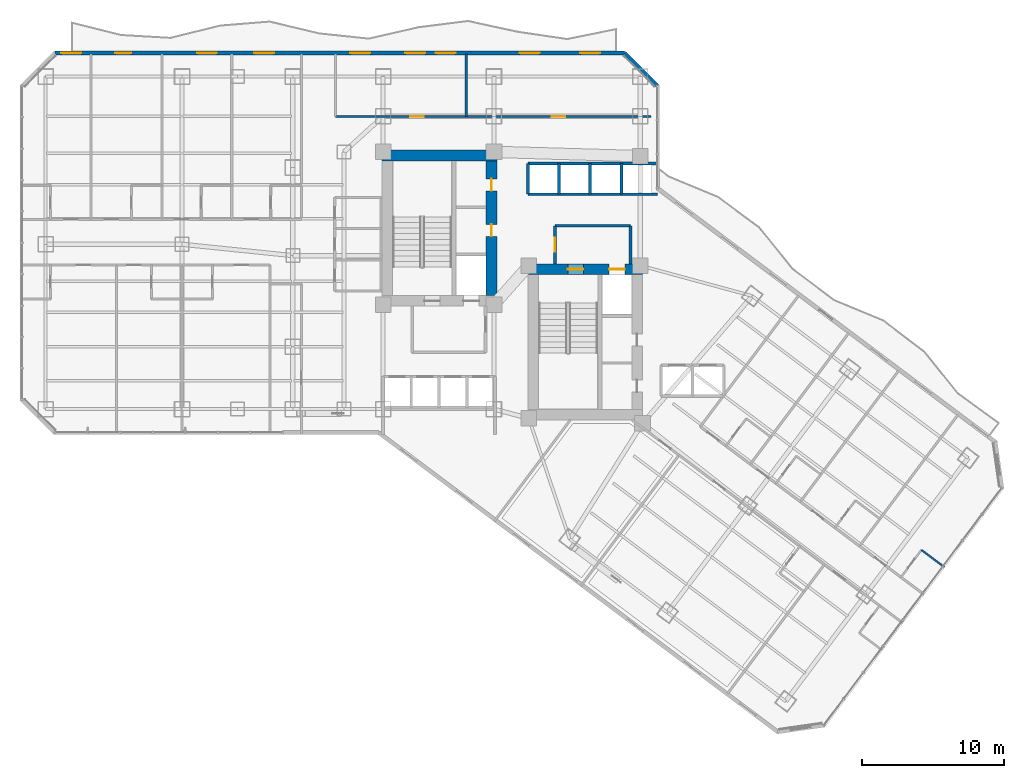
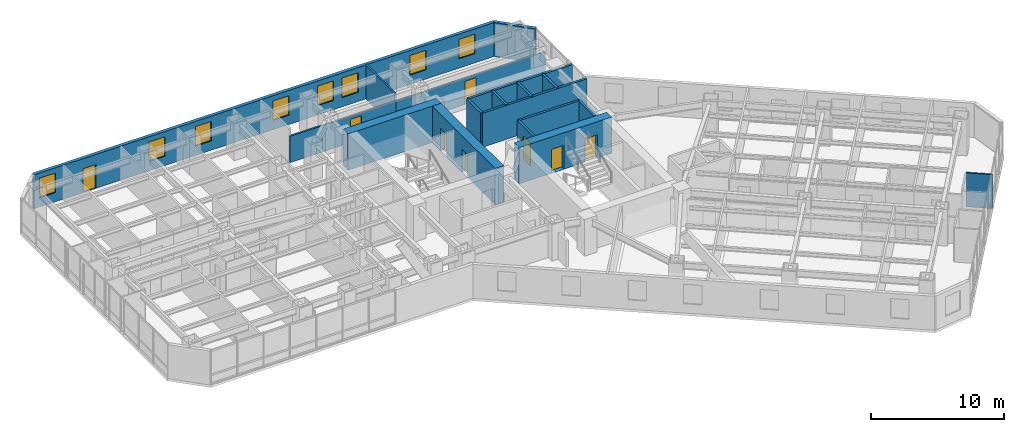
# One storey, part 26 of 32: 18 walls, 8 doors, 8 windows, 16 openings.
"""IFC4 building model written with IfcOpenShell, lengths in metres."""

from ifc_helpers import new_model, si_unit, direction, frame, frame_2d, origin, place, context, subcontext, project, spatial, rectangle, extrude, material, layer, layer_set, type_object, element, fill, save


model = new_model("IFC4")

# Units and contexts
model_context = context("Model", 3, precision=1e-05, world=origin(), true_north=direction((0.0, 1.0)))
body_context = subcontext(model_context, "Body", "Model", "MODEL_VIEW")
ifc_project = project(units=[si_unit("LENGTHUNIT", "METRE"), si_unit("AREAUNIT", "SQUARE_METRE"), si_unit("VOLUMEUNIT", "CUBIC_METRE"), si_unit("PLANEANGLEUNIT", "RADIAN"), si_unit("MASSUNIT", "GRAM", prefix="KILO")], contexts=[model_context])

# Site, building, storey
site_placement = place(None, origin())
site = spatial("IfcSite", under=ifc_project, at=site_placement, CompositionType="ELEMENT")
building_placement = place(site_placement, origin())
building = spatial("IfcBuilding", under=site, at=building_placement, Name="Hatsunagi Terrace Concourse", CompositionType="ELEMENT")
storey_placement = place(building_placement, frame((0.0, 0.0, 46.64990234375)))
storey = spatial("IfcBuildingStorey", under=building, at=storey_placement, Name="L11", CompositionType="ELEMENT", Elevation=46.64990234375)

# Wall
ifc_material_1 = material(Name="Concrete Fc60", Category="concrete")
ifc_layer_1 = layer(ifc_material_1, 0.75)
ifc_layer_set_1 = layer_set([ifc_layer_1], Name="CoreShearWall_Fc60_750")
wall_type_1 = type_object("IfcWallType", Name="CoreShearWall_Fc60_750", PredefinedType="SHEAR", material=ifc_layer_set_1)
wall_1_placement = place(storey_placement, frame((25.469970703125, 43.044921875, 0.0), z_axis=(0.0, 0.0, 1.0), x_axis=(1.0, 0.0, 0.0)))
element("IfcWall", 1, at=wall_1_placement, inside=storey, type_object=wall_type_1, Name="Core A Shear Wall N L11", PredefinedType="SHEAR", context=body_context, shape_type="SweptSolid", body=[
    extrude(rectangle(XDim=8.080078125, YDim=0.75, at=frame_2d((4.0400390625, 0.0))), origin(), (0.0, 0.0, 1.0), 3.35009765625),
])

# Wall, openings, doors
wall_2_placement = place(storey_placement, frame((33.175048828125, 33.18994140625, 0.0), z_axis=(0.0, 0.0, 1.0), x_axis=(0.0, 1.0, 0.0)))
wall_2 = element("IfcWall", 2, at=wall_2_placement, inside=storey, type_object=wall_type_1, Name="Core A Shear Wall E L11", PredefinedType="SHEAR", context=body_context, shape_type="SweptSolid", body=[
    extrude(rectangle(XDim=9.47998046875, YDim=0.75, at=frame_2d((4.739990234375, 0.0))), origin(), (0.0, 0.0, 1.0), 3.35009765625),
])
opening_1_placement = place(wall_2_placement, frame((4.159912109375, 0.0, 0.0)))
opening_1 = element("IfcOpeningElement", 3, at=opening_1_placement, cuts=wall_2, Name="Opening DR-085", PredefinedType="OPENING", context=body_context, shape_type="SweptSolid", body=[
    extrude(rectangle(XDim=0.85009765625, YDim=2.080078125, at=frame_2d((0.425048828125, 1.0400390625))), frame((0.0, 0.385009765625, 0.0), z_axis=(0.0, -1.0, 0.0), x_axis=(1.0, 0.0, 0.0)), (0.0, 0.0, 1.0), 0.77001953125),
])
opening_2_placement = place(wall_2_placement, frame((7.360107421875, 0.0, 0.0)))
opening_2 = element("IfcOpeningElement", 4, at=opening_2_placement, cuts=wall_2, Name="Opening DR-085", PredefinedType="OPENING", context=body_context, shape_type="SweptSolid", body=[
    extrude(rectangle(XDim=0.85009765625, YDim=2.080078125, at=frame_2d((0.425048828125, 1.0400390625))), frame((0.0, 0.385009765625, 0.0), z_axis=(0.0, -1.0, 0.0), x_axis=(1.0, 0.0, 0.0)), (0.0, 0.0, 1.0), 0.77001953125),
])
ifc_material_2 = material(Name="Painted steel", Category="steel")
door_type_1 = type_object("IfcDoorType", Name="RiserAccessDoor_EI60_850", OperationType="NOTDEFINED", PredefinedType="DOOR", material=ifc_material_2)
door_1_placement = place(opening_1_placement, origin())
door_1 = element("IfcDoor", 5, at=door_1_placement, inside=storey, type_object=door_type_1, Name="Core A Riser Door L11-1", OperationType="SINGLE_SWING_LEFT", OverallHeight=2.080078125, OverallWidth=0.85009765625, PredefinedType="DOOR", context=body_context, shape_type="SweptSolid", body=[
    extrude(rectangle(XDim=0.85009765625, YDim=2.080078125, at=frame_2d((0.425048828125, 1.0400390625))), frame((0.0, 0.02490234375, 0.0), z_axis=(0.0, -1.0, 0.0), x_axis=(1.0, 0.0, 0.0)), (0.0, 0.0, 1.0), 0.050048828125),
])
fill(opening_1, door_1)
door_2_placement = place(opening_2_placement, origin())
door_2 = element("IfcDoor", 6, at=door_2_placement, inside=storey, type_object=door_type_1, Name="Core A Riser Door L11-2", OperationType="SINGLE_SWING_LEFT", OverallHeight=2.080078125, OverallWidth=0.85009765625, PredefinedType="DOOR", context=body_context, shape_type="SweptSolid", body=[
    extrude(rectangle(XDim=0.85009765625, YDim=2.080078125, at=frame_2d((0.425048828125, 1.0400390625))), frame((0.0, 0.02490234375, 0.0), z_axis=(0.0, -1.0, 0.0), x_axis=(1.0, 0.0, 0.0)), (0.0, 0.0, 1.0), 0.050048828125),
])
fill(opening_2, door_2)

wall_3_placement = place(storey_placement, frame((35.739990234375, 35.044921875, 0.0), z_axis=(0.0, 0.0, 1.0), x_axis=(1.0, 0.0, 0.0)))
wall_3 = element("IfcWall", 7, at=wall_3_placement, inside=storey, type_object=wall_type_1, Name="Core B Shear Wall N L11", PredefinedType="SHEAR", context=body_context, shape_type="SweptSolid", body=[
    extrude(rectangle(XDim=8.06005859375, YDim=0.75, at=frame_2d((4.030029296875, 0.0))), origin(), (0.0, 0.0, 1.0), 3.35009765625),
])
opening_3_placement = place(wall_3_placement, frame((2.81005859375, 0.0, 0.0)))
opening_3 = element("IfcOpeningElement", 8, at=opening_3_placement, cuts=wall_3, Name="Opening DR-110S", PredefinedType="OPENING", context=body_context, shape_type="SweptSolid", body=[
    extrude(rectangle(XDim=1.10009765625, YDim=2.199951171875, at=frame_2d((0.550048828125, 1.10009765625))), frame((0.0, 0.385009765625, 0.0), z_axis=(0.0, -1.0, 0.0), x_axis=(1.0, 0.0, 0.0)), (0.0, 0.0, 1.0), 0.77001953125),
])
opening_4_placement = place(wall_3_placement, frame((5.7099609375, 0.0, 0.0)))
opening_4 = element("IfcOpeningElement", 9, at=opening_4_placement, cuts=wall_3, Name="Opening LD-02", PredefinedType="OPENING", context=body_context, shape_type="SweptSolid", body=[
    extrude(rectangle(XDim=1.1201171875, YDim=2.14990234375, at=frame_2d((0.56005859375, 1.074951171875))), frame((0.0, 0.385009765625, 0.0), z_axis=(0.0, -1.0, 0.0), x_axis=(1.0, 0.0, 0.0)), (0.0, 0.0, 1.0), 0.77001953125),
])
ifc_material_3 = material(Name="Stainless steel", Category="steel")
door_type_2 = type_object("IfcDoorType", Name="LiftLandingDoor_LD02", OperationType="SLIDING_TO_RIGHT", PredefinedType="USERDEFINED", material=ifc_material_3)
door_3_placement = place(opening_4_placement, origin())
door_3 = element("IfcDoor", 10, at=door_3_placement, inside=storey, type_object=door_type_2, Name="Lift landing door FF-02 L11", ObjectType="SLIDING_LANDING_DOOR", OperationType="SLIDING_TO_RIGHT", OverallHeight=2.14990234375, OverallWidth=1.1201171875, PredefinedType="USERDEFINED", context=body_context, shape_type="SweptSolid", body=[
    extrude(rectangle(XDim=1.1201171875, YDim=2.14990234375, at=frame_2d((0.56005859375, 1.074951171875))), frame((0.0, 0.02490234375, 0.0), z_axis=(0.0, -1.0, 0.0), x_axis=(1.0, 0.0, 0.0)), (0.0, 0.0, 1.0), 0.050048828125),
])
fill(opening_4, door_3)
ifc_material_4 = material(Name="Painted steel", Category="steel")
door_type_3 = type_object("IfcDoorType", Name="StairFireDoor_EI60_1100", OperationType="NOTDEFINED", PredefinedType="DOOR", material=ifc_material_4)
door_4_placement = place(opening_3_placement, origin())
door_4 = element("IfcDoor", 11, at=door_4_placement, inside=storey, type_object=door_type_3, Name="Stair ST-B Exit Door L11", OperationType="SINGLE_SWING_RIGHT", OverallHeight=2.199951171875, OverallWidth=1.10009765625, PredefinedType="DOOR", context=body_context, shape_type="SweptSolid", body=[
    extrude(rectangle(XDim=1.10009765625, YDim=2.199951171875, at=frame_2d((0.550048828125, 1.10009765625))), frame((0.0, 0.02490234375, 0.0), z_axis=(0.0, -1.0, 0.0), x_axis=(1.0, 0.0, 0.0)), (0.0, 0.0, 1.0), 0.050048828125),
])
fill(opening_3, door_4)

# Wall
ifc_material_5 = material(Name="Acoustic mineral board", Category="gypsum")
ifc_layer_2 = layer(ifc_material_5, 0.1201171875)
ifc_layer_set_2 = layer_set([ifc_layer_2], Name="PartitionWall_EI30_120")
wall_type_2 = type_object("IfcWallType", Name="PartitionWall_EI30_120", PredefinedType="PARTITIONING", material=ifc_layer_set_2)
wall_4_placement = place(storey_placement, frame((63.429931640625, 15.2900390625, 0.0), z_axis=(0.0, 0.0, 1.0), x_axis=(0.800014574191, -0.599980567254, 0.0)))
element("IfcWall", 12, at=wall_4_placement, inside=storey, type_object=wall_type_2, Name="Interior Partition IW-L11-100", PredefinedType="PARTITIONING", context=body_context, shape_type="SweptSolid", body=[
    extrude(rectangle(XDim=2.01025390625, YDim=0.1201171875, at=frame_2d((1.005126953125, 0.0))), origin(), (0.0, 0.0, 1.0), 3.130126953125),
])

# Wall, opening, door
ifc_material_6 = material(Name="Acoustic mineral board", Category="gypsum")
ifc_layer_3 = layer(ifc_material_6, 0.14990234375)
ifc_layer_set_3 = layer_set([ifc_layer_3], Name="PartitionWall_EI60_150")
wall_type_3 = type_object("IfcWallType", Name="PartitionWall_EI60_150", PredefinedType="PARTITIONING", material=ifc_layer_set_3)
wall_5_placement = place(storey_placement, frame((22.199951171875, 45.800048828125, 0.0), z_axis=(0.0, 0.0, 1.0), x_axis=(1.0, 0.0, 0.0)))
wall_5 = element("IfcWall", 13, at=wall_5_placement, inside=storey, type_object=wall_type_3, Name="Interior Partition IW-L11-037", PredefinedType="PARTITIONING", context=body_context, shape_type="SweptSolid", body=[
    extrude(rectangle(XDim=9.199951171875, YDim=0.14990234375, at=frame_2d((4.60009765625, 0.0))), origin(), (0.0, 0.0, 1.0), 2.425048828125),
])
opening_5_placement = place(wall_5_placement, frame((5.248046875, 0.0, 0.0)))
opening_5 = element("IfcOpeningElement", 14, at=opening_5_placement, cuts=wall_5, Name="Opening DR-095", PredefinedType="OPENING", context=body_context, shape_type="SweptSolid", body=[
    extrude(rectangle(XDim=0.949951171875, YDim=2.14990234375, at=frame_2d((0.47509765625, 1.074951171875))), frame((0.0, 0.0849609375, 0.0), z_axis=(0.0, -1.0, 0.0), x_axis=(1.0, 0.0, 0.0)), (0.0, 0.0, 1.0), 0.169921875),
])
ifc_material_7 = material(Name="Hardwood timber", Category="wood")
door_type_4 = type_object("IfcDoorType", Name="InteriorSuiteDoor_EI30_950", OperationType="NOTDEFINED", PredefinedType="DOOR", material=ifc_material_7)
door_5_placement = place(opening_5_placement, origin())
door_5 = element("IfcDoor", 15, at=door_5_placement, inside=storey, type_object=door_type_4, Name="Housekeeping Linen Room L11-HLIN Door", OperationType="SINGLE_SWING_LEFT", OverallHeight=2.14990234375, OverallWidth=0.949951171875, PredefinedType="DOOR", context=body_context, shape_type="SweptSolid", body=[
    extrude(rectangle(XDim=0.949951171875, YDim=2.14990234375, at=frame_2d((0.47509765625, 1.074951171875))), frame((0.0, 0.02490234375, 0.0), z_axis=(0.0, -1.0, 0.0), x_axis=(1.0, 0.0, 0.0)), (0.0, 0.0, 1.0), 0.050048828125),
])
fill(opening_5, door_5)

# Wall
wall_6_placement = place(storey_placement, frame((31.39990234375, 45.800048828125, 0.0), z_axis=(0.0, 0.0, 1.0), x_axis=(0.0, 1.0, 0.0)))
element("IfcWall", 16, at=wall_6_placement, inside=storey, type_object=wall_type_3, Name="Interior Partition IW-L11-039", PredefinedType="PARTITIONING", context=body_context, shape_type="SweptSolid", body=[
    extrude(rectangle(XDim=4.39990234375, YDim=0.14990234375, at=frame_2d((2.199951171875, 0.0))), origin(), (0.0, 0.0, 1.0), 3.130126953125),
])

# Wall, opening, door
wall_7_placement = place(storey_placement, frame((31.39990234375, 45.800048828125, 0.0), z_axis=(0.0, 0.0, 1.0), x_axis=(1.0, 0.0, 0.0)))
wall_7 = element("IfcWall", 17, at=wall_7_placement, inside=storey, type_object=wall_type_3, Name="Interior Partition IW-L11-040", PredefinedType="PARTITIONING", context=body_context, shape_type="SweptSolid", body=[
    extrude(rectangle(XDim=13.0, YDim=0.14990234375, at=frame_2d((6.5, 0.0))), origin(), (0.0, 0.0, 1.0), 2.425048828125),
])
opening_6_placement = place(wall_7_placement, frame((6.02490234375, 0.0, 0.0)))
opening_6 = element("IfcOpeningElement", 18, at=opening_6_placement, cuts=wall_7, Name="Opening DR-095", PredefinedType="OPENING", context=body_context, shape_type="SweptSolid", body=[
    extrude(rectangle(XDim=0.949951171875, YDim=2.14990234375, at=frame_2d((0.47509765625, 1.074951171875))), frame((0.0, 0.0849609375, 0.0), z_axis=(0.0, -1.0, 0.0), x_axis=(1.0, 0.0, 0.0)), (0.0, 0.0, 1.0), 0.169921875),
])
door_6_placement = place(opening_6_placement, origin())
door_6 = element("IfcDoor", 19, at=door_6_placement, inside=storey, type_object=door_type_4, Name="VIP Lounge L11-HLNG Door", OperationType="SINGLE_SWING_LEFT", OverallHeight=2.14990234375, OverallWidth=0.949951171875, PredefinedType="DOOR", context=body_context, shape_type="SweptSolid", body=[
    extrude(rectangle(XDim=0.949951171875, YDim=2.14990234375, at=frame_2d((0.47509765625, 1.074951171875))), frame((0.0, 0.02490234375, 0.0), z_axis=(0.0, -1.0, 0.0), x_axis=(1.0, 0.0, 0.0)), (0.0, 0.0, 1.0), 0.050048828125),
])
fill(opening_6, door_6)

# Walls
ifc_material_8 = material(Name="Acoustic mineral board", Category="gypsum")
ifc_layer_4 = layer(ifc_material_8, 0.199951171875)
ifc_layer_set_4 = layer_set([ifc_layer_4], Name="ShaftWall_EI120_200")
wall_type_4 = type_object("IfcWallType", Name="ShaftWall_EI120_200", PredefinedType="STANDARD", material=ifc_layer_set_4)
wall_8_placement = place(storey_placement, frame((37.64990234375, 38.10009765625, 0.0), z_axis=(0.0, 0.0, 1.0), x_axis=(1.0, 0.0, 0.0)))
element("IfcWall", 20, at=wall_8_placement, inside=storey, type_object=wall_type_4, Name="Interior Partition IW-L11-008", PredefinedType="STANDARD", context=body_context, shape_type="SweptSolid", body=[
    extrude(rectangle(XDim=5.300048828125, YDim=0.199951171875, at=frame_2d((2.64990234375, 0.0))), origin(), (0.0, 0.0, 1.0), 3.130126953125),
])
wall_9_placement = place(storey_placement, frame((42.949951171875, 35.419921875, 0.0), z_axis=(0.0, 0.0, 1.0), x_axis=(0.0, 1.0, 0.0)))
element("IfcWall", 21, at=wall_9_placement, inside=storey, type_object=wall_type_4, Name="Interior Partition IW-L11-009", PredefinedType="STANDARD", context=body_context, shape_type="SweptSolid", body=[
    extrude(rectangle(XDim=2.68017578125, YDim=0.199951171875, at=frame_2d((1.340087890625, 0.0))), origin(), (0.0, 0.0, 1.0), 3.130126953125),
])

# Wall, opening, door
wall_10_placement = place(storey_placement, frame((37.64990234375, 35.419921875, 0.0), z_axis=(0.0, 0.0, 1.0), x_axis=(0.0, 1.0, 0.0)))
wall_10 = element("IfcWall", 22, at=wall_10_placement, inside=storey, type_object=wall_type_4, Name="Interior Partition IW-L11-010", PredefinedType="STANDARD", context=body_context, shape_type="SweptSolid", body=[
    extrude(rectangle(XDim=2.68017578125, YDim=0.199951171875, at=frame_2d((1.340087890625, 0.0))), origin(), (0.0, 0.0, 1.0), 3.130126953125),
])
opening_7_placement = place(wall_10_placement, frame((0.840087890625, 0.0, 0.0)))
opening_7 = element("IfcOpeningElement", 23, at=opening_7_placement, cuts=wall_10, Name="Opening DR-100F", PredefinedType="OPENING", context=body_context, shape_type="SweptSolid", body=[
    extrude(rectangle(XDim=1.0, YDim=2.199951171875, at=frame_2d((0.5, 1.10009765625))), frame((0.0, 0.10986328125, 0.0), z_axis=(0.0, -1.0, 0.0), x_axis=(1.0, 0.0, 0.0)), (0.0, 0.0, 1.0), 0.219970703125),
])
ifc_material_9 = material(Name="Painted steel", Category="steel")
door_type_5 = type_object("IfcDoorType", Name="FireDoor_EI60_1000", OperationType="NOTDEFINED", PredefinedType="DOOR", material=ifc_material_9)
door_7_placement = place(opening_7_placement, origin())
door_7 = element("IfcDoor", 24, at=door_7_placement, inside=storey, type_object=door_type_5, Name="Firefighting Lobby B Door L11", OperationType="SINGLE_SWING_RIGHT", OverallHeight=2.199951171875, OverallWidth=1.0, PredefinedType="DOOR", context=body_context, shape_type="SweptSolid", body=[
    extrude(rectangle(XDim=1.0, YDim=2.199951171875, at=frame_2d((0.5, 1.10009765625))), frame((0.0, 0.02490234375, 0.0), z_axis=(0.0, -1.0, 0.0), x_axis=(1.0, 0.0, 0.0)), (0.0, 0.0, 1.0), 0.050048828125),
])
fill(opening_7, door_7)

# Walls
wall_11_placement = place(storey_placement, frame((35.75, 42.47998046875, 0.0), z_axis=(0.0, 0.0, 1.0), x_axis=(1.0, 0.0, 0.0)))
element("IfcWall", 25, at=wall_11_placement, inside=storey, type_object=wall_type_4, Name="Interior Partition IW-L11-018", PredefinedType="STANDARD", context=body_context, shape_type="SweptSolid", body=[
    extrude(rectangle(XDim=9.110107421875, YDim=0.199951171875, at=frame_2d((4.55517578125, 0.0))), origin(), (0.0, 0.0, 1.0), 3.130126953125),
])
for number, where, z_axis, x_axis, name in (
    (26, (35.75, 40.320068359375, 0.0), (0.0, 0.0, 1.0), (0.0, 1.0, 0.0), "Interior Partition IW-L11-019"),
    (27, (37.919921875, 40.320068359375, 0.0), (0.0, 0.0, 1.0), (0.0, 1.0, 0.0), "Interior Partition IW-L11-020"),
    (28, (40.1201171875, 40.320068359375, 0.0), (0.0, 0.0, 1.0), (0.0, 1.0, 0.0), "Interior Partition IW-L11-021"),
    (29, (42.320068359375, 40.320068359375, 0.0), (0.0, 0.0, 1.0), (0.0, 1.0, 0.0), "Interior Partition IW-L11-022"),
):
    element("IfcWall", number, at=place(storey_placement, frame(where, z_axis=z_axis, x_axis=x_axis)), inside=storey, type_object=wall_type_4, Name=name, PredefinedType="STANDARD", context=body_context, shape_type="SweptSolid", body=[
        extrude(rectangle(XDim=2.159912109375, YDim=0.199951171875, at=frame_2d((1.080078125, 0.0))), origin(), (0.0, 0.0, 1.0), 3.130126953125),
    ])
wall_12_placement = place(storey_placement, frame((35.75, 40.320068359375, 0.0), z_axis=(0.0, 0.0, 1.0), x_axis=(1.0, 0.0, 0.0)))
element("IfcWall", 30, at=wall_12_placement, inside=storey, type_object=wall_type_4, Name="Interior Partition IW-L11-023", PredefinedType="STANDARD", context=body_context, shape_type="SweptSolid", body=[
    extrude(rectangle(XDim=9.110107421875, YDim=0.199951171875, at=frame_2d((4.55517578125, 0.0))), origin(), (0.0, 0.0, 1.0), 3.130126953125),
])

# Wall, openings, door, windows
ifc_material_10 = material(Name="Autoclaved Lightweight Concrete and Terracotta Cladding", Category="masonry")
ifc_layer_5 = layer(ifc_material_10, 0.280029296875)
ifc_layer_set_5 = layer_set([ifc_layer_5], Name="TerracottaSpandrelWall_280")
wall_type_5 = type_object("IfcWallType", Name="TerracottaSpandrelWall_280", PredefinedType="STANDARD", material=ifc_layer_set_5)
wall_13_placement = place(storey_placement, frame((2.4580078125, 50.260009765625, 0.0), z_axis=(0.0, 0.0, 1.0), x_axis=(1.0, 0.0, 0.0)))
wall_13 = element("IfcWall", 31, at=wall_13_placement, inside=storey, type_object=wall_type_5, Name="Exterior Spandrel Wall EW-L11-11", PredefinedType="STANDARD", context=body_context, shape_type="SweptSolid", body=[
    extrude(rectangle(XDim=40.083984375, YDim=0.280029296875, at=frame_2d((20.0419921875, 0.0))), origin(), (0.0, 0.0, 1.0), 3.130126953125),
])
opening_8_placement = place(wall_13_placement, frame((4.260009765625, 0.0, 0.0)))
opening_8 = element("IfcOpeningElement", 32, at=opening_8_placement, cuts=wall_13, Name="Opening BD-01", PredefinedType="OPENING", context=body_context, shape_type="SweptSolid", body=[
    extrude(rectangle(XDim=1.10009765625, YDim=2.199951171875, at=frame_2d((0.550048828125, 1.10009765625))), frame((0.0, 0.14990234375, 0.0), z_axis=(0.0, -1.0, 0.0), x_axis=(1.0, 0.0, 0.0)), (0.0, 0.0, 1.0), 0.300048828125),
])
opening_9_placement = place(wall_13_placement, frame((0.4599609375, 0.0, 0.85009765625)))
opening_9 = element("IfcOpeningElement", 33, at=opening_9_placement, cuts=wall_13, Name="Opening WIN-02", PredefinedType="OPENING", context=body_context, shape_type="SweptSolid", body=[
    extrude(rectangle(XDim=1.39990234375, YDim=1.800048828125, at=frame_2d((0.699951171875, 0.89990234375))), frame((0.0, 0.14990234375, 0.0), z_axis=(0.0, -1.0, 0.0), x_axis=(1.0, 0.0, 0.0)), (0.0, 0.0, 1.0), 0.300048828125),
])
opening_10_placement = place(wall_13_placement, frame((10.0, 0.0, 0.85009765625)))
opening_10 = element("IfcOpeningElement", 34, at=opening_10_placement, cuts=wall_13, Name="Opening WIN-02", PredefinedType="OPENING", context=body_context, shape_type="SweptSolid", body=[
    extrude(rectangle(XDim=1.39990234375, YDim=1.800048828125, at=frame_2d((0.699951171875, 0.89990234375))), frame((0.0, 0.14990234375, 0.0), z_axis=(0.0, -1.0, 0.0), x_axis=(1.0, 0.0, 0.0)), (0.0, 0.0, 1.0), 0.300048828125),
])
opening_11_placement = place(wall_13_placement, frame((14.02001953125, 0.0, 0.85009765625)))
opening_11 = element("IfcOpeningElement", 35, at=opening_11_placement, cuts=wall_13, Name="Opening WIN-02", PredefinedType="OPENING", context=body_context, shape_type="SweptSolid", body=[
    extrude(rectangle(XDim=1.39990234375, YDim=1.800048828125, at=frame_2d((0.699951171875, 0.89990234375))), frame((0.0, 0.14990234375, 0.0), z_axis=(0.0, -1.0, 0.0), x_axis=(1.0, 0.0, 0.0)), (0.0, 0.0, 1.0), 0.300048828125),
])
opening_12_placement = place(wall_13_placement, frame((20.7890625, 0.0, 0.85009765625)))
opening_12 = element("IfcOpeningElement", 36, at=opening_12_placement, cuts=wall_13, Name="Opening WIN-02", PredefinedType="OPENING", context=body_context, shape_type="SweptSolid", body=[
    extrude(rectangle(XDim=1.39990234375, YDim=1.800048828125, at=frame_2d((0.699951171875, 0.89990234375))), frame((0.0, 0.14990234375, 0.0), z_axis=(0.0, -1.0, 0.0), x_axis=(1.0, 0.0, 0.0)), (0.0, 0.0, 1.0), 0.300048828125),
])
opening_13_placement = place(wall_13_placement, frame((24.6640625, 0.0, 0.85009765625)))
opening_13 = element("IfcOpeningElement", 37, at=opening_13_placement, cuts=wall_13, Name="Opening WIN-02", PredefinedType="OPENING", context=body_context, shape_type="SweptSolid", body=[
    extrude(rectangle(XDim=1.39990234375, YDim=1.800048828125, at=frame_2d((0.699951171875, 0.89990234375))), frame((0.0, 0.14990234375, 0.0), z_axis=(0.0, -1.0, 0.0), x_axis=(1.0, 0.0, 0.0)), (0.0, 0.0, 1.0), 0.300048828125),
])
opening_14_placement = place(wall_13_placement, frame((26.802978515625, 0.0, 0.85009765625)))
opening_14 = element("IfcOpeningElement", 38, at=opening_14_placement, cuts=wall_13, Name="Opening WIN-02", PredefinedType="OPENING", context=body_context, shape_type="SweptSolid", body=[
    extrude(rectangle(XDim=1.39990234375, YDim=1.800048828125, at=frame_2d((0.699951171875, 0.89990234375))), frame((0.0, 0.14990234375, 0.0), z_axis=(0.0, -1.0, 0.0), x_axis=(1.0, 0.0, 0.0)), (0.0, 0.0, 1.0), 0.300048828125),
])
opening_15_placement = place(wall_13_placement, frame((32.702880859375, 0.0, 0.85009765625)))
opening_15 = element("IfcOpeningElement", 39, at=opening_15_placement, cuts=wall_13, Name="Opening WIN-02", PredefinedType="OPENING", context=body_context, shape_type="SweptSolid", body=[
    extrude(rectangle(XDim=1.39990234375, YDim=1.800048828125, at=frame_2d((0.699951171875, 0.89990234375))), frame((0.0, 0.14990234375, 0.0), z_axis=(0.0, -1.0, 0.0), x_axis=(1.0, 0.0, 0.0)), (0.0, 0.0, 1.0), 0.300048828125),
])
opening_16_placement = place(wall_13_placement, frame((36.967041015625, 0.0, 0.85009765625)))
opening_16 = element("IfcOpeningElement", 40, at=opening_16_placement, cuts=wall_13, Name="Opening WIN-02", PredefinedType="OPENING", context=body_context, shape_type="SweptSolid", body=[
    extrude(rectangle(XDim=1.39990234375, YDim=1.800048828125, at=frame_2d((0.699951171875, 0.89990234375))), frame((0.0, 0.14990234375, 0.0), z_axis=(0.0, -1.0, 0.0), x_axis=(1.0, 0.0, 0.0)), (0.0, 0.0, 1.0), 0.300048828125),
])
ifc_material_11 = material(Name="Galvanised Steel and Laminated Safety Glass", Category="steel")
door_type_6 = type_object("IfcDoorType", Name="BalconyTerraceAccessDoor_1100x2200", OperationType="SINGLE_SWING_LEFT", PredefinedType="DOOR", material=ifc_material_11)
door_8_placement = place(opening_8_placement, origin())
door_8 = element("IfcDoor", 41, at=door_8_placement, inside=storey, type_object=door_type_6, Name="Engawa Balcony Door L11-BN", OperationType="SINGLE_SWING_RIGHT", OverallHeight=2.199951171875, OverallWidth=1.10009765625, PredefinedType="DOOR", context=body_context, shape_type="SweptSolid", body=[
    extrude(rectangle(XDim=1.10009765625, YDim=2.199951171875, at=frame_2d((0.550048828125, 1.10009765625))), frame((0.0, 0.02490234375, 0.0), z_axis=(0.0, -1.0, 0.0), x_axis=(1.0, 0.0, 0.0)), (0.0, 0.0, 1.0), 0.050048828125),
])
fill(opening_8, door_8)
ifc_material_12 = material(Name="Thermally Broken Aluminium and Low-E Triple Glazing", Category="aluminium")
window_type = type_object("IfcWindowType", Name="HotelOperableVentWindow_1400x1800", PartitioningType="DOUBLE_PANEL_VERTICAL", PredefinedType="WINDOW", material=ifc_material_12)
window_1_placement = place(opening_9_placement, origin())
window_1 = element("IfcWindow", 42, at=window_1_placement, inside=storey, type_object=window_type, Name="Balcony Daylighting Window L11-11-1", OverallHeight=1.800048828125, OverallWidth=1.39990234375, PartitioningType="SINGLE_PANEL", PredefinedType="WINDOW", context=body_context, shape_type="SweptSolid", body=[
    extrude(rectangle(XDim=1.39990234375, YDim=1.800048828125, at=frame_2d((0.699951171875, 0.89990234375))), frame((0.0, 0.030029296875, 0.0), z_axis=(0.0, -1.0, 0.0), x_axis=(1.0, 0.0, 0.0)), (0.0, 0.0, 1.0), 0.06005859375),
])
fill(opening_9, window_1)
window_2_placement = place(opening_10_placement, origin())
window_2 = element("IfcWindow", 43, at=window_2_placement, inside=storey, type_object=window_type, Name="Balcony Daylighting Window L11-11-3", OverallHeight=1.800048828125, OverallWidth=1.39990234375, PartitioningType="SINGLE_PANEL", PredefinedType="WINDOW", context=body_context, shape_type="SweptSolid", body=[
    extrude(rectangle(XDim=1.39990234375, YDim=1.800048828125, at=frame_2d((0.699951171875, 0.89990234375))), frame((0.0, 0.030029296875, 0.0), z_axis=(0.0, -1.0, 0.0), x_axis=(1.0, 0.0, 0.0)), (0.0, 0.0, 1.0), 0.06005859375),
])
fill(opening_10, window_2)
window_3_placement = place(opening_11_placement, origin())
window_3 = element("IfcWindow", 44, at=window_3_placement, inside=storey, type_object=window_type, Name="Balcony Daylighting Window L11-11-4", OverallHeight=1.800048828125, OverallWidth=1.39990234375, PartitioningType="SINGLE_PANEL", PredefinedType="WINDOW", context=body_context, shape_type="SweptSolid", body=[
    extrude(rectangle(XDim=1.39990234375, YDim=1.800048828125, at=frame_2d((0.699951171875, 0.89990234375))), frame((0.0, 0.030029296875, 0.0), z_axis=(0.0, -1.0, 0.0), x_axis=(1.0, 0.0, 0.0)), (0.0, 0.0, 1.0), 0.06005859375),
])
fill(opening_11, window_3)
window_4_placement = place(opening_12_placement, origin())
window_4 = element("IfcWindow", 45, at=window_4_placement, inside=storey, type_object=window_type, Name="Balcony Daylighting Window L11-11-5", OverallHeight=1.800048828125, OverallWidth=1.39990234375, PartitioningType="SINGLE_PANEL", PredefinedType="WINDOW", context=body_context, shape_type="SweptSolid", body=[
    extrude(rectangle(XDim=1.39990234375, YDim=1.800048828125, at=frame_2d((0.699951171875, 0.89990234375))), frame((0.0, 0.030029296875, 0.0), z_axis=(0.0, -1.0, 0.0), x_axis=(1.0, 0.0, 0.0)), (0.0, 0.0, 1.0), 0.06005859375),
])
fill(opening_12, window_4)
window_5_placement = place(opening_13_placement, origin())
window_5 = element("IfcWindow", 46, at=window_5_placement, inside=storey, type_object=window_type, Name="Balcony Daylighting Window L11-11-6", OverallHeight=1.800048828125, OverallWidth=1.39990234375, PartitioningType="SINGLE_PANEL", PredefinedType="WINDOW", context=body_context, shape_type="SweptSolid", body=[
    extrude(rectangle(XDim=1.39990234375, YDim=1.800048828125, at=frame_2d((0.699951171875, 0.89990234375))), frame((0.0, 0.030029296875, 0.0), z_axis=(0.0, -1.0, 0.0), x_axis=(1.0, 0.0, 0.0)), (0.0, 0.0, 1.0), 0.06005859375),
])
fill(opening_13, window_5)
window_6_placement = place(opening_14_placement, origin())
window_6 = element("IfcWindow", 47, at=window_6_placement, inside=storey, type_object=window_type, Name="Balcony Daylighting Window L11-11-7", OverallHeight=1.800048828125, OverallWidth=1.39990234375, PartitioningType="SINGLE_PANEL", PredefinedType="WINDOW", context=body_context, shape_type="SweptSolid", body=[
    extrude(rectangle(XDim=1.39990234375, YDim=1.800048828125, at=frame_2d((0.699951171875, 0.89990234375))), frame((0.0, 0.030029296875, 0.0), z_axis=(0.0, -1.0, 0.0), x_axis=(1.0, 0.0, 0.0)), (0.0, 0.0, 1.0), 0.06005859375),
])
fill(opening_14, window_6)
window_7_placement = place(opening_15_placement, origin())
window_7 = element("IfcWindow", 48, at=window_7_placement, inside=storey, type_object=window_type, Name="Balcony Daylighting Window L11-11-8", OverallHeight=1.800048828125, OverallWidth=1.39990234375, PartitioningType="SINGLE_PANEL", PredefinedType="WINDOW", context=body_context, shape_type="SweptSolid", body=[
    extrude(rectangle(XDim=1.39990234375, YDim=1.800048828125, at=frame_2d((0.699951171875, 0.89990234375))), frame((0.0, 0.030029296875, 0.0), z_axis=(0.0, -1.0, 0.0), x_axis=(1.0, 0.0, 0.0)), (0.0, 0.0, 1.0), 0.06005859375),
])
fill(opening_15, window_7)
window_8_placement = place(opening_16_placement, origin())
window_8 = element("IfcWindow", 49, at=window_8_placement, inside=storey, type_object=window_type, Name="Balcony Daylighting Window L11-11-9", OverallHeight=1.800048828125, OverallWidth=1.39990234375, PartitioningType="SINGLE_PANEL", PredefinedType="WINDOW", context=body_context, shape_type="SweptSolid", body=[
    extrude(rectangle(XDim=1.39990234375, YDim=1.800048828125, at=frame_2d((0.699951171875, 0.89990234375))), frame((0.0, 0.030029296875, 0.0), z_axis=(0.0, -1.0, 0.0), x_axis=(1.0, 0.0, 0.0)), (0.0, 0.0, 1.0), 0.06005859375),
])
fill(opening_16, window_8)

# Wall
wall_14_placement = place(storey_placement, frame((42.5419921875, 50.260009765625, 0.0), z_axis=(0.0, 0.0, 1.0), x_axis=(0.707106781187, -0.707106781187, 0.0)))
element("IfcWall", 50, at=wall_14_placement, inside=storey, type_object=wall_type_5, Name="Exterior Spandrel Wall EW-L11-12", PredefinedType="STANDARD", context=body_context, shape_type="SweptSolid", body=[
    extrude(rectangle(XDim=3.2783203125, YDim=0.280029296875, at=frame_2d((1.63916015625, 0.0))), origin(), (0.0, 0.0, 1.0), 3.130126953125),
])

save(model, "model.ifc")
